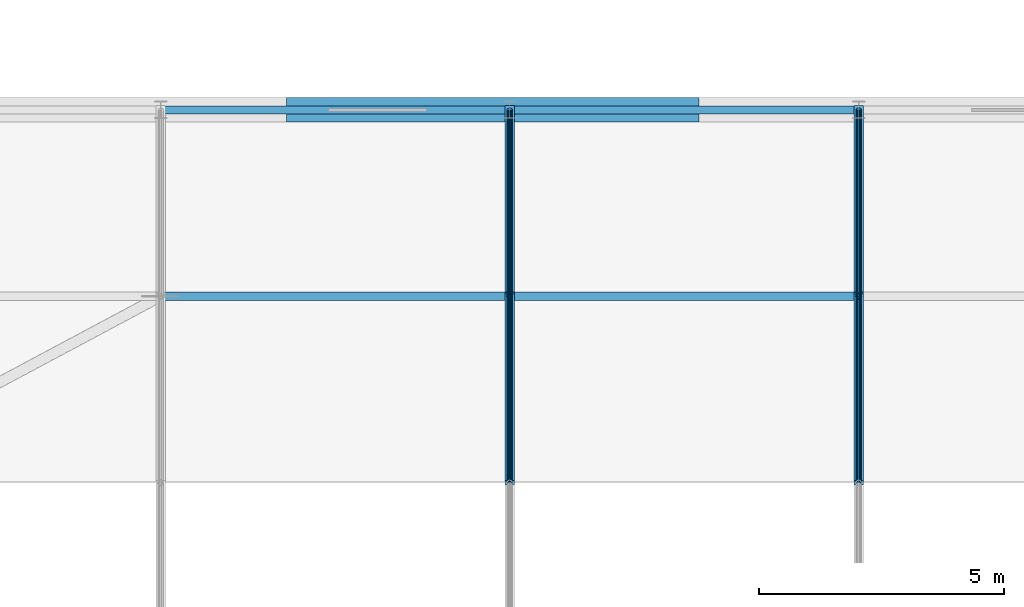
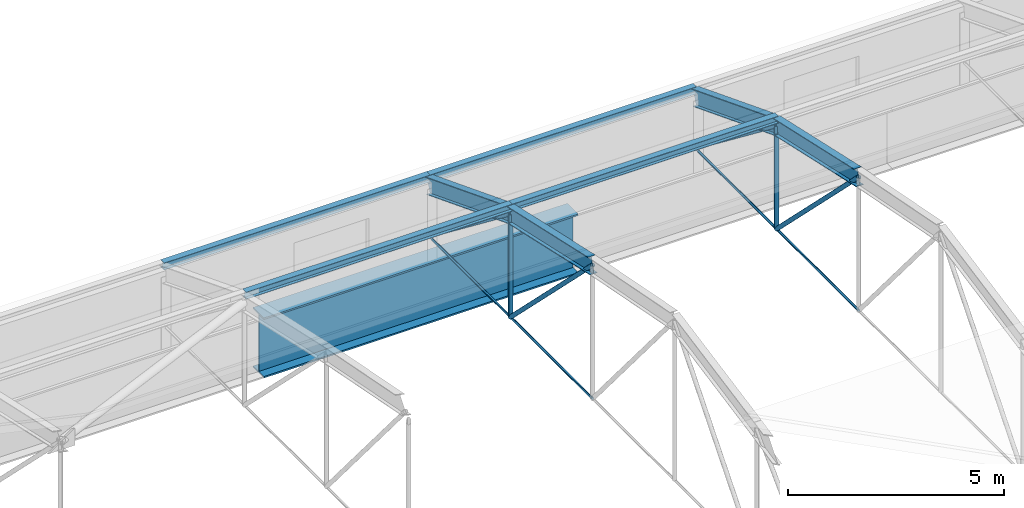
# One storey, part 17 of 53: 14 members, 5 beams.
"""IFC4 building model written with IfcOpenShell, lengths in metres."""

from ifc_helpers import new_model, si_unit, direction, frame, origin_with_axes, origin_2d_with_axis, place, context, subcontext, project, spatial, circle, hollow_circle, i_section, extrude, material, material_profile, profile_set, type_object, element, save


model = new_model("IFC4")

# Units and contexts
model_context = context("Model", 3, precision=1e-05, world=origin_with_axes(), true_north=direction((0.0, 1.0)))
body_context = subcontext(model_context, "Body", "Model", "MODEL_VIEW")
ifc_project = project(units=[si_unit("LENGTHUNIT", "METRE"), si_unit("AREAUNIT", "SQUARE_METRE"), si_unit("VOLUMEUNIT", "CUBIC_METRE"), si_unit("PLANEANGLEUNIT", "RADIAN"), si_unit("MASSUNIT", "GRAM", prefix="KILO"), si_unit("THERMODYNAMICTEMPERATUREUNIT", "KELVIN")], contexts=[model_context])

# Site, building, storey
site_placement = place(None, origin_with_axes())
site = spatial("IfcSite", under=ifc_project, at=site_placement, CompositionType="ELEMENT")
building_placement = place(site_placement, origin_with_axes())
building = spatial("IfcBuilding", under=site, at=building_placement, Name="Montbau Bow Law Courts", CompositionType="ELEMENT")
storey_placement = place(building_placement, frame((0.0, 0.0, 39.0), z_axis=(0.0, 0.0, 1.0), x_axis=(1.0, 0.0, 0.0)))
storey = spatial("IfcBuildingStorey", under=building, at=storey_placement, Name="L08", CompositionType="ELEMENT", Elevation=39.0)

# Beams
ifc_material = material(Name="Steel CSA G40.21 Grade 350WT (350 MPa)", Category="steel")
ifc_material_profile_1 = material_profile(ifc_material, i_section(OverallWidth=0.191, OverallDepth=0.46, WebThickness=0.0099, FlangeThickness=0.016, at=origin_2d_with_axis()), Name="W460X82", Category="Main", Priority=0)
ifc_profile_set_1 = profile_set([ifc_material_profile_1], Name="Steel CSA G40.21 Grade 350WT (350 MPa)")
beam_type_1 = type_object("IfcBeamType", Name="B-ARC-02", PredefinedType="USERDEFINED", material=ifc_profile_set_1)
beam_1_placement = place(None, frame((76.543, 54.2, 43.024), z_axis=(0.0, 0.97610237, -0.217311212), x_axis=(-1.0, 0.0, 0.0)))
element("IfcBeam", 1, at=beam_1_placement, inside=storey, type_object=beam_type_1, Name="Barrel vault roof truss arch rib V3-119", ObjectType="ARCH_RIB", PredefinedType="USERDEFINED", context=body_context, shape_type="SweptSolid", body=[
    extrude(i_section(OverallWidth=0.191, OverallDepth=0.46, WebThickness=0.0099, FlangeThickness=0.016, at=origin_2d_with_axis()), origin_with_axes(), (0.0, 0.0, 1.0), 3.893034),
])
beam_2_placement = place(None, frame((76.543, 58.0, 42.178), z_axis=(0.0, 0.931986259, -0.362493603), x_axis=(-1.0, 0.0, 0.0)))
element("IfcBeam", 2, at=beam_2_placement, inside=storey, type_object=beam_type_1, Name="Barrel vault roof truss arch rib V3-120", ObjectType="ARCH_RIB", PredefinedType="USERDEFINED", context=body_context, shape_type="SweptSolid", body=[
    extrude(i_section(OverallWidth=0.191, OverallDepth=0.46, WebThickness=0.0099, FlangeThickness=0.016, at=origin_2d_with_axis()), origin_with_axes(), (0.0, 0.0, 1.0), 4.077313),
])
beam_3_placement = place(None, frame((83.657, 54.2, 43.024), z_axis=(0.0, 0.97610237, -0.217311212), x_axis=(-1.0, 0.0, 0.0)))
element("IfcBeam", 3, at=beam_3_placement, inside=storey, type_object=beam_type_1, Name="Barrel vault roof truss arch rib V3-125", ObjectType="ARCH_RIB", PredefinedType="USERDEFINED", context=body_context, shape_type="SweptSolid", body=[
    extrude(i_section(OverallWidth=0.191, OverallDepth=0.46, WebThickness=0.0099, FlangeThickness=0.016, at=origin_2d_with_axis()), origin_with_axes(), (0.0, 0.0, 1.0), 3.893034),
])
beam_4_placement = place(None, frame((83.657, 58.0, 42.178), z_axis=(0.0, 0.931986259, -0.362493603), x_axis=(-1.0, 0.0, 0.0)))
element("IfcBeam", 4, at=beam_4_placement, inside=storey, type_object=beam_type_1, Name="Barrel vault roof truss arch rib V3-126", ObjectType="ARCH_RIB", PredefinedType="USERDEFINED", context=body_context, shape_type="SweptSolid", body=[
    extrude(i_section(OverallWidth=0.191, OverallDepth=0.46, WebThickness=0.0099, FlangeThickness=0.016, at=origin_2d_with_axis()), origin_with_axes(), (0.0, 0.0, 1.0), 4.077313),
])
ifc_material_profile_2 = material_profile(ifc_material, i_section(OverallWidth=0.5, OverallDepth=1.7, WebThickness=0.02, FlangeThickness=0.045, at=origin_2d_with_axis()), Name="WWF1700X480", Category="Main", Priority=0)
ifc_profile_set_2 = profile_set([ifc_material_profile_2], Name="Steel CSA G40.21 Grade 350WT (350 MPa)")
beam_type_2 = type_object("IfcBeamType", Name="B-TRG-02", PredefinedType="USERDEFINED", material=ifc_profile_set_2)
beam_5_placement = place(None, frame((72.0, 61.8, 37.81), z_axis=(1.0, 0.0, 0.0), x_axis=(0.0, 1.0, 0.0)))
element("IfcBeam", 5, at=beam_5_placement, inside=storey, type_object=beam_type_2, Name="VRG-L08-S0027:bm2_0030", ObjectType="GIRDER", PredefinedType="USERDEFINED", context=body_context, shape_type="SweptSolid", body=[
    extrude(i_section(OverallWidth=0.5, OverallDepth=1.7, WebThickness=0.02, FlangeThickness=0.045, at=origin_2d_with_axis()), origin_with_axes(), (0.0, 0.0, 1.0), 8.4),
])

# Members
ifc_material_profile_3 = material_profile(ifc_material, i_section(OverallWidth=0.165, OverallDepth=0.201, WebThickness=0.0062, FlangeThickness=0.0102, at=origin_2d_with_axis()), Name="W200X36", Category="Main", Priority=0)
ifc_profile_set_3 = profile_set([ifc_material_profile_3], Name="Steel CSA G40.21 Grade 350WT (350 MPa)")
member_type_1 = type_object("IfcMemberType", Name="M-PUR-02", PredefinedType="PURLIN", material=ifc_profile_set_3)
for number, where, z_axis, x_axis, name in (
    (6, (69.429, 58.0, 42.388), (1.0, 0.0, 0.0), (0.0, 1.0, 0.0), "Barrel vault roof truss purlin V3-118"),
    (7, (69.429, 61.8, 40.91), (1.0, 0.0, 0.0), (0.0, 1.0, 0.0), "Barrel vault roof truss purlin V3-119"),
    (8, (76.543, 58.0, 42.388), (1.0, 0.0, 0.0), (0.0, 1.0, 0.0), "Barrel vault roof truss purlin V3-125"),
    (9, (76.543, 61.8, 40.91), (1.0, 0.0, 0.0), (0.0, 1.0, 0.0), "Barrel vault roof truss purlin V3-126"),
):
    element("IfcMember", number, at=place(None, frame(where, z_axis=z_axis, x_axis=x_axis)), inside=storey, type_object=member_type_1, Name=name, PredefinedType="PURLIN", context=body_context, shape_type="SweptSolid", body=[
        extrude(i_section(OverallWidth=0.165, OverallDepth=0.201, WebThickness=0.0062, FlangeThickness=0.0102, at=origin_2d_with_axis()), origin_with_axes(), (0.0, 0.0, 1.0), 7.114),
    ])
ifc_material_profile_4 = material_profile(ifc_material, hollow_circle(Radius=0.057, WallThickness=0.008, at=origin_2d_with_axis()), Name="HSS114X8.0", Category="Main", Priority=0)
ifc_profile_set_4 = profile_set([ifc_material_profile_4], Name="Steel CSA G40.21 Grade 350WT (350 MPa)")
member_type_2 = type_object("IfcMemberType", Name="M-STR-03", PredefinedType="STRUT", material=ifc_profile_set_4)
member_1_placement = place(None, frame((76.543, 54.2, 43.024), z_axis=(0.0, 0.709529954, -0.704675276), x_axis=(-1.0, 0.0, 0.0)))
element("IfcMember", 10, at=member_1_placement, inside=storey, type_object=member_type_2, Name="Barrel vault roof truss web diagonal V3-04-5", PredefinedType="STRUT", context=body_context, shape_type="SweptSolid", body=[
    extrude(hollow_circle(Radius=0.057, WallThickness=0.008, at=origin_2d_with_axis()), origin_with_axes(), (0.0, 0.0, 1.0), 5.355658),
])
member_2_placement = place(None, frame((76.543, 58.0, 42.178), z_axis=(0.0, 0.792127775, -0.610355296), x_axis=(-1.0, 0.0, 0.0)))
element("IfcMember", 11, at=member_2_placement, inside=storey, type_object=member_type_2, Name="Barrel vault roof truss web diagonal V3-04-6", PredefinedType="STRUT", context=body_context, shape_type="SweptSolid", body=[
    extrude(hollow_circle(Radius=0.057, WallThickness=0.008, at=origin_2d_with_axis()), origin_with_axes(), (0.0, 0.0, 1.0), 4.797206),
])
member_3_placement = place(None, frame((76.543, 58.0, 39.25), z_axis=(0.0, 0.0, 1.0), x_axis=(1.0, 0.0, 0.0)))
element("IfcMember", 12, at=member_3_placement, inside=storey, type_object=member_type_2, Name="Barrel vault roof truss web post V3-04-5", PredefinedType="STRUT", context=body_context, shape_type="SweptSolid", body=[
    extrude(hollow_circle(Radius=0.057, WallThickness=0.008, at=origin_2d_with_axis()), origin_with_axes(), (0.0, 0.0, 1.0), 2.928),
])
member_4_placement = place(None, frame((83.657, 54.2, 43.024), z_axis=(0.0, 0.709529954, -0.704675276), x_axis=(-1.0, 0.0, 0.0)))
element("IfcMember", 13, at=member_4_placement, inside=storey, type_object=member_type_2, Name="Barrel vault roof truss web diagonal V3-05-5", PredefinedType="STRUT", context=body_context, shape_type="SweptSolid", body=[
    extrude(hollow_circle(Radius=0.057, WallThickness=0.008, at=origin_2d_with_axis()), origin_with_axes(), (0.0, 0.0, 1.0), 5.355658),
])
member_5_placement = place(None, frame((83.657, 58.0, 42.178), z_axis=(0.0, 0.792127775, -0.610355296), x_axis=(-1.0, 0.0, 0.0)))
element("IfcMember", 14, at=member_5_placement, inside=storey, type_object=member_type_2, Name="Barrel vault roof truss web diagonal V3-05-6", PredefinedType="STRUT", context=body_context, shape_type="SweptSolid", body=[
    extrude(hollow_circle(Radius=0.057, WallThickness=0.008, at=origin_2d_with_axis()), origin_with_axes(), (0.0, 0.0, 1.0), 4.797206),
])
member_6_placement = place(None, frame((83.657, 58.0, 39.25), z_axis=(0.0, 0.0, 1.0), x_axis=(1.0, 0.0, 0.0)))
element("IfcMember", 15, at=member_6_placement, inside=storey, type_object=member_type_2, Name="Barrel vault roof truss web post V3-05-5", PredefinedType="STRUT", context=body_context, shape_type="SweptSolid", body=[
    extrude(hollow_circle(Radius=0.057, WallThickness=0.008, at=origin_2d_with_axis()), origin_with_axes(), (0.0, 0.0, 1.0), 2.928),
])
ifc_material_profile_5 = material_profile(ifc_material, circle(Radius=0.032, at=origin_2d_with_axis()), Name="ROD64", Category="Main", Priority=0)
ifc_profile_set_5 = profile_set([ifc_material_profile_5], Name="Steel CSA G40.21 Grade 350WT (350 MPa)")
member_type_3 = type_object("IfcMemberType", Name="M-TIE-02", PredefinedType="USERDEFINED", material=ifc_profile_set_5)
for number, where, z_axis, x_axis, name in (
    (16, (76.543, 54.2, 39.25), (0.0, 1.0, 0.0), (-1.0, 0.0, 0.0), "Barrel vault roof truss tie V3-119"),
    (17, (76.543, 58.0, 39.25), (0.0, 1.0, 0.0), (-1.0, 0.0, 0.0), "Barrel vault roof truss tie V3-120"),
    (18, (83.657, 54.2, 39.25), (0.0, 1.0, 0.0), (-1.0, 0.0, 0.0), "Barrel vault roof truss tie V3-125"),
    (19, (83.657, 58.0, 39.25), (0.0, 1.0, 0.0), (-1.0, 0.0, 0.0), "Barrel vault roof truss tie V3-126"),
):
    element("IfcMember", number, at=place(None, frame(where, z_axis=z_axis, x_axis=x_axis)), inside=storey, type_object=member_type_3, Name=name, ObjectType="TIEBAR", PredefinedType="USERDEFINED", context=body_context, shape_type="SweptSolid", body=[
        extrude(circle(Radius=0.032, at=origin_2d_with_axis()), origin_with_axes(), (0.0, 0.0, 1.0), 3.8),
    ])

save(model, "model.ifc")
